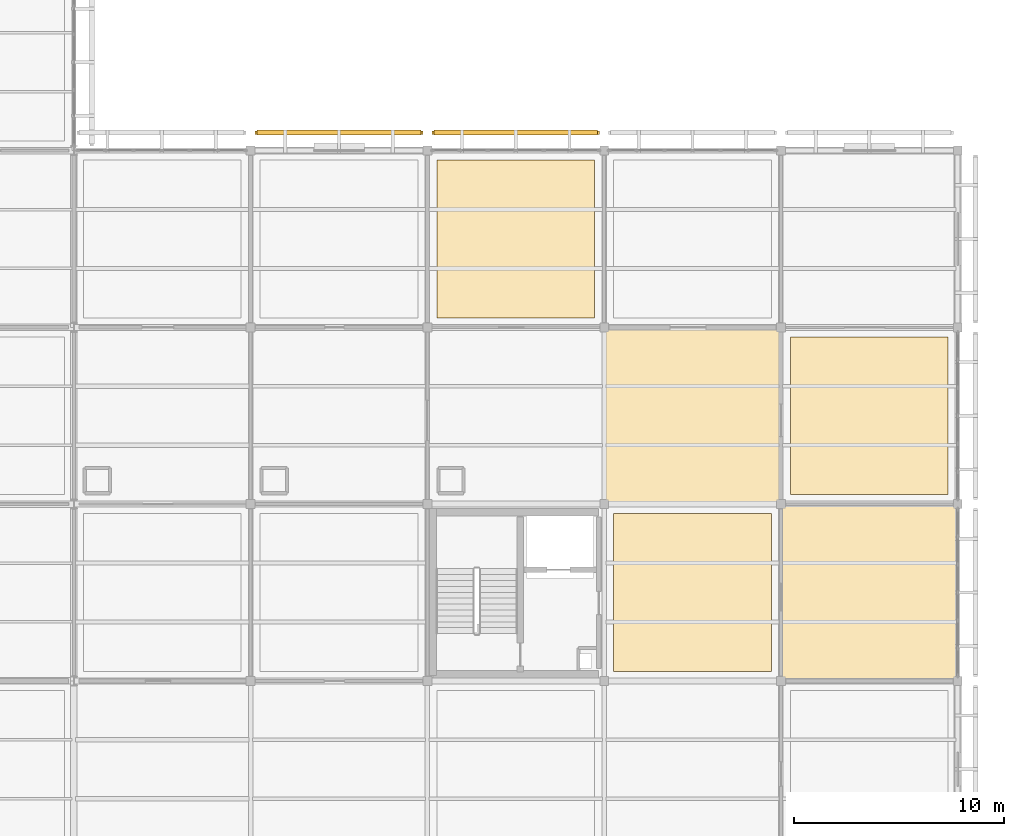
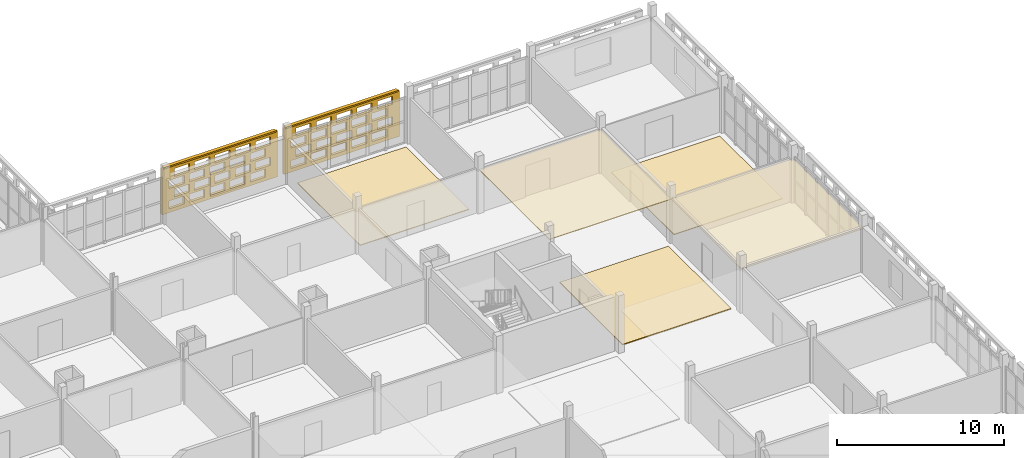
# One storey, part 164 of 166: 7 coverings, 2 shading devices, 40 openings.
"""IFC4 building model written with IfcOpenShell, lengths in metres."""

import ifcopenshell
import ifcopenshell.guid

model = None  # the IFC model being written
_history = None  # IfcOwnerHistory: only IFC2X3 demands one
_inside = {}  # id of a spatial element -> (the spatial element, [elements in it])
_under = {}  # id of a project, library or spatial element -> (it, [spatial elements below it])
_declared = {}  # id of a project -> (the project, [libraries it declares])
_typed = {}  # id of a type object -> (the type object, [elements of that type])
_made_of = {}  # id of a material, layer set ... -> (it, [elements and type objects made of it])


def new_model(schema):
    """Start an empty IFC model of exactly this schema.

    Asked for "IFC4X3", IfcOpenShell would pick the latest addendum, in which some entities
    have other attributes; the version numbers below select the first issue.
    IFC2X3 requires an IfcOwnerHistory on every rooted entity: one is made here for all.
    """
    global model, _history
    if schema == "IFC4X3":
        model = ifcopenshell.file(schema_version=(4, 3, 0, 0))
    else:
        model = ifcopenshell.file(schema=schema)
    _inside.clear()
    _under.clear()
    _declared.clear()
    _typed.clear()
    _made_of.clear()
    _history = None
    if model.schema == "IFC2X3":
        org = make("IfcOrganization", Name="unknown")
        user = make(
            "IfcPersonAndOrganization",
            ThePerson=make("IfcPerson", FamilyName="unknown"),
            TheOrganization=org,
        )
        app = make(
            "IfcApplication",
            ApplicationDeveloper=org,
            Version="unknown",
            ApplicationFullName="unknown",
            ApplicationIdentifier="unknown",
        )
        _history = make(
            "IfcOwnerHistory",
            OwningUser=user,
            OwningApplication=app,
            ChangeAction="ADDED",
            CreationDate=0,
        )
    return model


def make(cls, **values):
    """One entity of the class cls with the attributes given. An attribute that is None is left unset."""
    return model.create_entity(
        cls, **{name: value for name, value in values.items() if value is not None}
    )


def rooted(cls, **values):
    """An entity with a GlobalId (a new one), such as an element, a storey or a relation."""
    return make(cls, GlobalId=ifcopenshell.guid.new(), OwnerHistory=_history, **values)


def si_unit(unit_type, name, prefix=None):
    """IfcSIUnit, for example si_unit("LENGTHUNIT", "METRE", prefix="MILLI")."""
    return make("IfcSIUnit", UnitType=unit_type, Prefix=prefix, Name=name)


def assignment(units):
    """IfcUnitAssignment: the units of a project."""
    return None if units is None else make("IfcUnitAssignment", Units=units)


def point(xyz):
    """IfcCartesianPoint."""
    return None if xyz is None else make("IfcCartesianPoint", Coordinates=xyz)


def direction(xyz):
    """IfcDirection."""
    return None if xyz is None else make("IfcDirection", DirectionRatios=xyz)


def frame(location, z_axis=None, x_axis=None):
    """IfcAxis2Placement3D, a coordinate frame: its origin and axes. An axis left out is left unset."""
    return make(
        "IfcAxis2Placement3D",
        Location=point(location),
        Axis=direction(z_axis),
        RefDirection=direction(x_axis),
    )


def frame_2d(location, x_axis=None):
    """IfcAxis2Placement2D, a coordinate frame in the plane: its origin and x axis."""
    return make(
        "IfcAxis2Placement2D", Location=point(location), RefDirection=direction(x_axis)
    )


def origin():
    """The frame at (0, 0, 0) with its axes left unset."""
    return frame((0.0, 0.0, 0.0))


def origin_2d():
    """The frame at (0, 0) in the plane with its x axis left unset."""
    return frame_2d((0.0, 0.0))


def place(relative_to, where):
    """IfcLocalPlacement: puts the frame where relative to a parent placement (None: the world)."""
    return make(
        "IfcLocalPlacement", PlacementRelTo=relative_to, RelativePlacement=where
    )


def context(
    kind, dimensions, precision=None, world=None, true_north=None, identifier=None
):
    """IfcGeometricRepresentationContext, for example the 3D "Model" context."""
    return make(
        "IfcGeometricRepresentationContext",
        ContextIdentifier=identifier,
        ContextType=kind,
        CoordinateSpaceDimension=dimensions,
        Precision=precision,
        WorldCoordinateSystem=world,
        TrueNorth=true_north,
    )


def subcontext(parent, identifier, kind, view, scale=None):
    """IfcGeometricRepresentationSubContext, for example "Body" below "Model"."""
    return make(
        "IfcGeometricRepresentationSubContext",
        ContextIdentifier=identifier,
        ContextType=kind,
        ParentContext=parent,
        TargetScale=scale,
        TargetView=view,
    )


def project(units=None, contexts=None):
    """IfcProject with its units and contexts."""
    return rooted(
        "IfcProject",
        Name="project",
        RepresentationContexts=contexts,
        UnitsInContext=assignment(units),
    )


def spatial(cls, under=None, at=None, **own):
    """A site, building, storey or space (cls), placed at a placement, below another one or the project."""
    s = rooted(cls, ObjectPlacement=at, **own)
    if under is not None:
        _under.setdefault(under.id(), (under, []))[1].append(s)
    return s


def profile(cls, at=None, kind="AREA", **sizes):
    """A parametric profile (cls). Its sizes go by their IFC names, for example OverallWidth=200.0."""
    return make(cls, ProfileType=kind, Position=at, **sizes)


def rectangle(**sizes):
    """IfcRectangleProfileDef."""
    return profile("IfcRectangleProfileDef", **sizes)


def extrude(swept, where, along, depth):
    """IfcExtrudedAreaSolid: the profile swept, set in the frame where, extruded along a direction by depth."""
    return make(
        "IfcExtrudedAreaSolid",
        SweptArea=swept,
        Position=where,
        ExtrudedDirection=direction(along),
        Depth=depth,
    )


def shape(context_of_items, identifier, shape_type, items):
    """IfcShapeRepresentation: the items that make up one representation, for example the "Body"."""
    return make(
        "IfcShapeRepresentation",
        ContextOfItems=context_of_items,
        RepresentationIdentifier=identifier,
        RepresentationType=shape_type,
        Items=items,
    )


def material(Name=None, Category=None):
    """IfcMaterial."""
    return make("IfcMaterial", Name=Name, Category=Category)


def layer(
    of_material, thickness, ventilated=None, Name=None, Category=None, Priority=None
):
    """IfcMaterialLayer: one layer of a wall or slab, of a material (None: an air gap)."""
    return make(
        "IfcMaterialLayer",
        Material=of_material,
        LayerThickness=thickness,
        IsVentilated=ventilated,
        Name=Name,
        Category=Category,
        Priority=Priority,
    )


def layer_set(layers, Name=None):
    """IfcMaterialLayerSet."""
    return make("IfcMaterialLayerSet", MaterialLayers=layers, LayerSetName=Name)


def made_of(thing, what):
    """Note that an element or type object is made of a material, layer set ...; save() writes the relation."""
    if what is not None:
        _made_of.setdefault(what.id(), (what, []))[1].append(thing)
    return thing


def type_object(cls, material=None, **own):
    """A type object (cls), such as IfcWallType, which elements share."""
    return made_of(rooted(cls, **own), material)


def element(
    cls,
    number,
    at=None,
    inside=None,
    cuts=None,
    type_object=None,
    material=None,
    context=None,
    identifier="Body",
    shape_type=None,
    held_by="IfcProductDefinitionShape",
    body=None,
    shapes=None,
    **own,
):
    """One element of the class cls, such as IfcWall. Its Tag is "e" and its number.

    at: its placement. inside: the storey or other place that contains it. cuts: it is an
    opening in that element (IfcRelVoidsElement). A single representation is given by context,
    identifier, shape_type and body (its items); several are given by shapes. held_by: the class
    of the entity that holds the representations. save() writes the other relations.
    """
    e = rooted(cls, Tag="e%d" % number, ObjectPlacement=at, **own)
    if body is not None:
        shapes = [shape(context, identifier, shape_type, body)]
    if shapes is not None:
        e.Representation = make(held_by, Representations=shapes)
    if inside is not None:
        _inside.setdefault(inside.id(), (inside, []))[1].append(e)
    if cuts is not None:
        rooted(
            "IfcRelVoidsElement", RelatingBuildingElement=cuts, RelatedOpeningElement=e
        )
    if type_object is not None:
        _typed.setdefault(type_object.id(), (type_object, []))[1].append(e)
    return made_of(e, material)


def aggregate(whole, parts):
    """IfcRelAggregates: a whole, such as a stair, and the parts it consists of."""
    return rooted("IfcRelAggregates", RelatingObject=whole, RelatedObjects=parts)


def save(model, path):
    """Write the relations noted so far, then the file.

    IfcRelAggregates (storeys below a building ...), IfcRelContainedInSpatialStructure (elements
    in a storey), IfcRelDefinesByType, IfcRelAssociatesMaterial and IfcRelDeclares: one each for
    every whole, place, type object, material and project.
    """
    for whole, parts in _under.values():
        aggregate(whole, parts)
    for where, things in _inside.values():
        rooted(
            "IfcRelContainedInSpatialStructure",
            RelatedElements=things,
            RelatingStructure=where,
        )
    for kind, things in _typed.values():
        rooted("IfcRelDefinesByType", RelatedObjects=things, RelatingType=kind)
    for what, things in _made_of.values():
        rooted("IfcRelAssociatesMaterial", RelatedObjects=things, RelatingMaterial=what)
    for by, libraries in _declared.values():
        rooted("IfcRelDeclares", RelatingContext=by, RelatedDefinitions=libraries)
    model.write(path)


model = new_model("IFC4")

# Units and contexts
model_context = context("Model", 3, precision=1e-05, world=origin(), true_north=direction((0.0, 1.0)))
body_context = subcontext(model_context, "Body", "Model", "MODEL_VIEW")
ifc_project = project(units=[si_unit("LENGTHUNIT", "METRE"), si_unit("AREAUNIT", "SQUARE_METRE"), si_unit("VOLUMEUNIT", "CUBIC_METRE"), si_unit("PLANEANGLEUNIT", "RADIAN"), si_unit("MASSUNIT", "GRAM", prefix="KILO")], contexts=[model_context])

# Site, building, storey
site_placement = place(None, origin())
site = spatial("IfcSite", under=ifc_project, at=site_placement, CompositionType="ELEMENT")
building_placement = place(site_placement, origin())
building = spatial("IfcBuilding", under=site, at=building_placement, Name="Varnapada Polytechnic", CompositionType="ELEMENT")
storey_placement = place(building_placement, frame((0.0, 0.0, 9.60009765625)))
storey = spatial("IfcBuildingStorey", under=building, at=storey_placement, Name="L02", CompositionType="ELEMENT", Elevation=9.60009765625)

# Coverings
ifc_material_1 = material(Name="Anti-Static Raised Laboratory Flooring")
ifc_layer_1 = layer(ifc_material_1, 0.06005859375)
ifc_layer_set_1 = layer_set([ifc_layer_1], Name="Anti-Static Raised Laboratory Flooring")
covering_type_1 = type_object("IfcCoveringType", Name="Floor Finish FLR-02", PredefinedType="FLOORING", material=ifc_layer_set_1)
covering_1_placement = place(storey_placement, frame((163.800048828125, 96.60009765625, -0.000244140625), z_axis=(0.0, 0.0, 1.0), x_axis=(1.0, 0.0, 0.0)))
element("IfcCovering", 1, at=covering_1_placement, inside=storey, type_object=covering_type_1, Name="L02 floor finish panel (20,12)", PredefinedType="FLOORING", context=body_context, shape_type="SweptSolid", body=[
    extrude(rectangle(XDim=7.5, YDim=7.5, at=origin_2d()), origin(), (0.0, 0.0, 1.0), 0.06005859375),
])
ifc_material_2 = material(Name="End-Grain Timber Studio Block Flooring", Category="wood")
ifc_layer_2 = layer(ifc_material_2, 0.054931640625)
ifc_layer_set_2 = layer_set([ifc_layer_2], Name="End-Grain Timber Studio Block Flooring")
covering_type_2 = type_object("IfcCoveringType", Name="Floor Finish FLR-04", PredefinedType="FLOORING", material=ifc_layer_set_2)
for number, where, z_axis, x_axis, name in (
    (2, (155.39990234375, 113.39990234375, 0.0), (0.0, 0.0, 1.0), (1.0, 0.0, 0.0), "L02 floor finish panel (19,14)"),
    (3, (172.199951171875, 105.0, 0.0), (0.0, 0.0, 1.0), (1.0, 0.0, 0.0), "L02 floor finish panel (21,13)"),
):
    element("IfcCovering", number, at=place(storey_placement, frame(where, z_axis=z_axis, x_axis=x_axis)), inside=storey, type_object=covering_type_2, Name=name, PredefinedType="FLOORING", context=body_context, shape_type="SweptSolid", body=[
        extrude(rectangle(XDim=7.5, YDim=7.5, at=origin_2d()), origin(), (0.0, 0.0, 1.0), 0.054931640625),
    ])
ifc_material_3 = material(Name="Mineral Fibre Acoustic Ceiling Tile")
ifc_layer_3 = layer(ifc_material_3, 0.0400390625)
ifc_layer_set_3 = layer_set([ifc_layer_3], Name="Mineral Fibre Acoustic Ceiling Tile")
covering_type_3 = type_object("IfcCoveringType", Name="Suspended Ceiling CLG-01", PredefinedType="CEILING", material=ifc_layer_set_3)
covering_2_placement = place(storey_placement, frame((172.199951171875, 96.60009765625, 3.02978515625), z_axis=(0.0, 0.0, 1.0), x_axis=(1.0, 0.0, 0.0)))
element("IfcCovering", 4, at=covering_2_placement, inside=storey, type_object=covering_type_3, Name="L02 suspended acoustic ceiling (21,12)", PredefinedType="CEILING", context=body_context, shape_type="SweptSolid", body=[
    extrude(rectangle(XDim=8.419921875, YDim=8.419921875, at=origin_2d()), origin(), (0.0, 0.0, 1.0), 0.0400390625),
])
ifc_material_4 = material(Name="Perforated Timber Slatted Baffle Ceiling", Category="wood")
ifc_layer_4 = layer(ifc_material_4, 0.050048828125)
ifc_layer_set_4 = layer_set([ifc_layer_4], Name="Perforated Timber Slatted Baffle Ceiling")
covering_type_4 = type_object("IfcCoveringType", Name="Suspended Ceiling CLG-02", PredefinedType="CEILING", material=ifc_layer_set_4)
covering_3_placement = place(storey_placement, frame((163.800048828125, 105.0, 3.02490234375), z_axis=(0.0, 0.0, 1.0), x_axis=(1.0, 0.0, 0.0)))
element("IfcCovering", 5, at=covering_3_placement, inside=storey, type_object=covering_type_4, Name="L02 suspended acoustic ceiling (20,13)", PredefinedType="CEILING", context=body_context, shape_type="SweptSolid", body=[
    extrude(rectangle(XDim=8.419921875, YDim=8.419921875, at=origin_2d()), origin(), (0.0, 0.0, 1.0), 0.050048828125),
])

# Covering, openings
ifc_material_5 = material(Name="Earth-toned architectural terracotta screen block", Category="masonry")
ifc_layer_5 = layer(ifc_material_5, 0.1201171875)
ifc_layer_set_5 = layer_set([ifc_layer_5], Name="Earth-toned architectural terracotta screen block")
covering_type_5 = type_object("IfcCoveringType", Name="Terracotta Screen Cladding CLD-01", PredefinedType="CLADDING", material=ifc_layer_set_5)
covering_4_placement = place(storey_placement, frame((143.010009765625, 118.449951171875, 0.0), z_axis=(0.0, 0.0, 1.0), x_axis=(1.0, 0.0, 0.0)))
covering_4 = element("IfcCovering", 6, at=covering_4_placement, inside=storey, type_object=covering_type_5, Name="L02 perforated terracotta block screen (94)", PredefinedType="CLADDING", context=body_context, shape_type="SweptSolid", body=[
    extrude(rectangle(XDim=7.97998046875, YDim=0.179931640625, at=frame_2d((3.989990234375, 0.0))), origin(), (0.0, 0.0, 1.0), 3.31982421875),
])
opening_1_placement = place(covering_4_placement, frame((0.489990234375, 0.0, 0.265625)))
element("IfcOpeningElement", 7, at=opening_1_placement, cuts=covering_4, Name="Screen perforation TBS-L02-093.1", PredefinedType="OPENING", context=body_context, shape_type="SweptSolid", body=[
    extrude(rectangle(XDim=1.0400390625, YDim=0.5810546875, at=frame_2d((0.52001953125, 0.29052734375))), frame((0.0, 0.099853515625, 0.0), z_axis=(0.0, -1.0, 0.0), x_axis=(1.0, 0.0, 0.0)), (0.0, 0.0, 1.0), 0.199951171875),
])
opening_2_placement = place(covering_4_placement, frame((1.889892578125, 0.0, 0.265625)))
element("IfcOpeningElement", 8, at=opening_2_placement, cuts=covering_4, Name="Screen perforation TBS-L02-093.2", PredefinedType="OPENING", context=body_context, shape_type="SweptSolid", body=[
    extrude(rectangle(XDim=1.0400390625, YDim=0.5810546875, at=frame_2d((0.52001953125, 0.29052734375))), frame((0.0, 0.099853515625, 0.0), z_axis=(0.0, -1.0, 0.0), x_axis=(1.0, 0.0, 0.0)), (0.0, 0.0, 1.0), 0.199951171875),
])
opening_3_placement = place(covering_4_placement, frame((3.2900390625, 0.0, 0.265625)))
element("IfcOpeningElement", 9, at=opening_3_placement, cuts=covering_4, Name="Screen perforation TBS-L02-093.3", PredefinedType="OPENING", context=body_context, shape_type="SweptSolid", body=[
    extrude(rectangle(XDim=1.0400390625, YDim=0.5810546875, at=frame_2d((0.52001953125, 0.29052734375))), frame((0.0, 0.099853515625, 0.0), z_axis=(0.0, -1.0, 0.0), x_axis=(1.0, 0.0, 0.0)), (0.0, 0.0, 1.0), 0.199951171875),
])
opening_4_placement = place(covering_4_placement, frame((4.68994140625, 0.0, 0.265625)))
element("IfcOpeningElement", 10, at=opening_4_placement, cuts=covering_4, Name="Screen perforation TBS-L02-093.4", PredefinedType="OPENING", context=body_context, shape_type="SweptSolid", body=[
    extrude(rectangle(XDim=1.0400390625, YDim=0.5810546875, at=frame_2d((0.52001953125, 0.29052734375))), frame((0.0, 0.099853515625, 0.0), z_axis=(0.0, -1.0, 0.0), x_axis=(1.0, 0.0, 0.0)), (0.0, 0.0, 1.0), 0.199951171875),
])
opening_5_placement = place(covering_4_placement, frame((6.090087890625, 0.0, 0.265625)))
element("IfcOpeningElement", 11, at=opening_5_placement, cuts=covering_4, Name="Screen perforation TBS-L02-093.5", PredefinedType="OPENING", context=body_context, shape_type="SweptSolid", body=[
    extrude(rectangle(XDim=1.0400390625, YDim=0.5810546875, at=frame_2d((0.52001953125, 0.29052734375))), frame((0.0, 0.099853515625, 0.0), z_axis=(0.0, -1.0, 0.0), x_axis=(1.0, 0.0, 0.0)), (0.0, 0.0, 1.0), 0.199951171875),
])
opening_6_placement = place(covering_4_placement, frame((0.85009765625, 0.0, 1.0126953125)))
element("IfcOpeningElement", 12, at=opening_6_placement, cuts=covering_4, Name="Screen perforation TBS-L02-093.6", PredefinedType="OPENING", context=body_context, shape_type="SweptSolid", body=[
    extrude(rectangle(XDim=1.0400390625, YDim=0.5810546875, at=frame_2d((0.52001953125, 0.29052734375))), frame((0.0, 0.099853515625, 0.0), z_axis=(0.0, -1.0, 0.0), x_axis=(1.0, 0.0, 0.0)), (0.0, 0.0, 1.0), 0.199951171875),
])
opening_7_placement = place(covering_4_placement, frame((2.25, 0.0, 1.0126953125)))
element("IfcOpeningElement", 13, at=opening_7_placement, cuts=covering_4, Name="Screen perforation TBS-L02-093.7", PredefinedType="OPENING", context=body_context, shape_type="SweptSolid", body=[
    extrude(rectangle(XDim=1.0400390625, YDim=0.5810546875, at=frame_2d((0.52001953125, 0.29052734375))), frame((0.0, 0.099853515625, 0.0), z_axis=(0.0, -1.0, 0.0), x_axis=(1.0, 0.0, 0.0)), (0.0, 0.0, 1.0), 0.199951171875),
])
opening_8_placement = place(covering_4_placement, frame((3.64990234375, 0.0, 1.0126953125)))
element("IfcOpeningElement", 14, at=opening_8_placement, cuts=covering_4, Name="Screen perforation TBS-L02-093.8", PredefinedType="OPENING", context=body_context, shape_type="SweptSolid", body=[
    extrude(rectangle(XDim=1.0400390625, YDim=0.5810546875, at=frame_2d((0.52001953125, 0.29052734375))), frame((0.0, 0.099853515625, 0.0), z_axis=(0.0, -1.0, 0.0), x_axis=(1.0, 0.0, 0.0)), (0.0, 0.0, 1.0), 0.199951171875),
])
opening_9_placement = place(covering_4_placement, frame((5.050048828125, 0.0, 1.0126953125)))
element("IfcOpeningElement", 15, at=opening_9_placement, cuts=covering_4, Name="Screen perforation TBS-L02-093.9", PredefinedType="OPENING", context=body_context, shape_type="SweptSolid", body=[
    extrude(rectangle(XDim=1.0400390625, YDim=0.5810546875, at=frame_2d((0.52001953125, 0.29052734375))), frame((0.0, 0.099853515625, 0.0), z_axis=(0.0, -1.0, 0.0), x_axis=(1.0, 0.0, 0.0)), (0.0, 0.0, 1.0), 0.199951171875),
])
opening_10_placement = place(covering_4_placement, frame((6.449951171875, 0.0, 1.0126953125)))
element("IfcOpeningElement", 16, at=opening_10_placement, cuts=covering_4, Name="Screen perforation TBS-L02-093.10", PredefinedType="OPENING", context=body_context, shape_type="SweptSolid", body=[
    extrude(rectangle(XDim=1.0400390625, YDim=0.5810546875, at=frame_2d((0.52001953125, 0.29052734375))), frame((0.0, 0.099853515625, 0.0), z_axis=(0.0, -1.0, 0.0), x_axis=(1.0, 0.0, 0.0)), (0.0, 0.0, 1.0), 0.199951171875),
])
opening_11_placement = place(covering_4_placement, frame((0.489990234375, 0.0, 1.759521484375)))
element("IfcOpeningElement", 17, at=opening_11_placement, cuts=covering_4, Name="Screen perforation TBS-L02-093.11", PredefinedType="OPENING", context=body_context, shape_type="SweptSolid", body=[
    extrude(rectangle(XDim=1.0400390625, YDim=0.5810546875, at=frame_2d((0.52001953125, 0.29052734375))), frame((0.0, 0.099853515625, 0.0), z_axis=(0.0, -1.0, 0.0), x_axis=(1.0, 0.0, 0.0)), (0.0, 0.0, 1.0), 0.199951171875),
])
opening_12_placement = place(covering_4_placement, frame((1.889892578125, 0.0, 1.759521484375)))
element("IfcOpeningElement", 18, at=opening_12_placement, cuts=covering_4, Name="Screen perforation TBS-L02-093.12", PredefinedType="OPENING", context=body_context, shape_type="SweptSolid", body=[
    extrude(rectangle(XDim=1.0400390625, YDim=0.5810546875, at=frame_2d((0.52001953125, 0.29052734375))), frame((0.0, 0.099853515625, 0.0), z_axis=(0.0, -1.0, 0.0), x_axis=(1.0, 0.0, 0.0)), (0.0, 0.0, 1.0), 0.199951171875),
])
opening_13_placement = place(covering_4_placement, frame((3.2900390625, 0.0, 1.759521484375)))
element("IfcOpeningElement", 19, at=opening_13_placement, cuts=covering_4, Name="Screen perforation TBS-L02-093.13", PredefinedType="OPENING", context=body_context, shape_type="SweptSolid", body=[
    extrude(rectangle(XDim=1.0400390625, YDim=0.5810546875, at=frame_2d((0.52001953125, 0.29052734375))), frame((0.0, 0.099853515625, 0.0), z_axis=(0.0, -1.0, 0.0), x_axis=(1.0, 0.0, 0.0)), (0.0, 0.0, 1.0), 0.199951171875),
])
opening_14_placement = place(covering_4_placement, frame((4.68994140625, 0.0, 1.759521484375)))
element("IfcOpeningElement", 20, at=opening_14_placement, cuts=covering_4, Name="Screen perforation TBS-L02-093.14", PredefinedType="OPENING", context=body_context, shape_type="SweptSolid", body=[
    extrude(rectangle(XDim=1.0400390625, YDim=0.5810546875, at=frame_2d((0.52001953125, 0.29052734375))), frame((0.0, 0.099853515625, 0.0), z_axis=(0.0, -1.0, 0.0), x_axis=(1.0, 0.0, 0.0)), (0.0, 0.0, 1.0), 0.199951171875),
])
opening_15_placement = place(covering_4_placement, frame((6.090087890625, 0.0, 1.759521484375)))
element("IfcOpeningElement", 21, at=opening_15_placement, cuts=covering_4, Name="Screen perforation TBS-L02-093.15", PredefinedType="OPENING", context=body_context, shape_type="SweptSolid", body=[
    extrude(rectangle(XDim=1.0400390625, YDim=0.5810546875, at=frame_2d((0.52001953125, 0.29052734375))), frame((0.0, 0.099853515625, 0.0), z_axis=(0.0, -1.0, 0.0), x_axis=(1.0, 0.0, 0.0)), (0.0, 0.0, 1.0), 0.199951171875),
])
opening_16_placement = place(covering_4_placement, frame((0.85009765625, 0.0, 2.506591796875)))
element("IfcOpeningElement", 22, at=opening_16_placement, cuts=covering_4, Name="Screen perforation TBS-L02-093.16", PredefinedType="OPENING", context=body_context, shape_type="SweptSolid", body=[
    extrude(rectangle(XDim=1.0400390625, YDim=0.5810546875, at=frame_2d((0.52001953125, 0.29052734375))), frame((0.0, 0.099853515625, 0.0), z_axis=(0.0, -1.0, 0.0), x_axis=(1.0, 0.0, 0.0)), (0.0, 0.0, 1.0), 0.199951171875),
])
opening_17_placement = place(covering_4_placement, frame((2.25, 0.0, 2.506591796875)))
element("IfcOpeningElement", 23, at=opening_17_placement, cuts=covering_4, Name="Screen perforation TBS-L02-093.17", PredefinedType="OPENING", context=body_context, shape_type="SweptSolid", body=[
    extrude(rectangle(XDim=1.0400390625, YDim=0.5810546875, at=frame_2d((0.52001953125, 0.29052734375))), frame((0.0, 0.099853515625, 0.0), z_axis=(0.0, -1.0, 0.0), x_axis=(1.0, 0.0, 0.0)), (0.0, 0.0, 1.0), 0.199951171875),
])
opening_18_placement = place(covering_4_placement, frame((3.64990234375, 0.0, 2.506591796875)))
element("IfcOpeningElement", 24, at=opening_18_placement, cuts=covering_4, Name="Screen perforation TBS-L02-093.18", PredefinedType="OPENING", context=body_context, shape_type="SweptSolid", body=[
    extrude(rectangle(XDim=1.0400390625, YDim=0.5810546875, at=frame_2d((0.52001953125, 0.29052734375))), frame((0.0, 0.099853515625, 0.0), z_axis=(0.0, -1.0, 0.0), x_axis=(1.0, 0.0, 0.0)), (0.0, 0.0, 1.0), 0.199951171875),
])
opening_19_placement = place(covering_4_placement, frame((5.050048828125, 0.0, 2.506591796875)))
element("IfcOpeningElement", 25, at=opening_19_placement, cuts=covering_4, Name="Screen perforation TBS-L02-093.19", PredefinedType="OPENING", context=body_context, shape_type="SweptSolid", body=[
    extrude(rectangle(XDim=1.0400390625, YDim=0.5810546875, at=frame_2d((0.52001953125, 0.29052734375))), frame((0.0, 0.099853515625, 0.0), z_axis=(0.0, -1.0, 0.0), x_axis=(1.0, 0.0, 0.0)), (0.0, 0.0, 1.0), 0.199951171875),
])
opening_20_placement = place(covering_4_placement, frame((6.449951171875, 0.0, 2.506591796875)))
element("IfcOpeningElement", 26, at=opening_20_placement, cuts=covering_4, Name="Screen perforation TBS-L02-093.20", PredefinedType="OPENING", context=body_context, shape_type="SweptSolid", body=[
    extrude(rectangle(XDim=1.0400390625, YDim=0.5810546875, at=frame_2d((0.52001953125, 0.29052734375))), frame((0.0, 0.099853515625, 0.0), z_axis=(0.0, -1.0, 0.0), x_axis=(1.0, 0.0, 0.0)), (0.0, 0.0, 1.0), 0.199951171875),
])

covering_5_placement = place(storey_placement, frame((151.409912109375, 118.449951171875, 0.0), z_axis=(0.0, 0.0, 1.0), x_axis=(1.0, 0.0, 0.0)))
covering_5 = element("IfcCovering", 27, at=covering_5_placement, inside=storey, type_object=covering_type_5, Name="L02 perforated terracotta block screen (98)", PredefinedType="CLADDING", context=body_context, shape_type="SweptSolid", body=[
    extrude(rectangle(XDim=7.97998046875, YDim=0.179931640625, at=frame_2d((3.989990234375, 0.0))), origin(), (0.0, 0.0, 1.0), 3.31982421875),
])
opening_21_placement = place(covering_5_placement, frame((0.489990234375, 0.0, 0.265625)))
element("IfcOpeningElement", 28, at=opening_21_placement, cuts=covering_5, Name="Screen perforation TBS-L02-097.1", PredefinedType="OPENING", context=body_context, shape_type="SweptSolid", body=[
    extrude(rectangle(XDim=1.0400390625, YDim=0.5810546875, at=frame_2d((0.52001953125, 0.29052734375))), frame((0.0, 0.099853515625, 0.0), z_axis=(0.0, -1.0, 0.0), x_axis=(1.0, 0.0, 0.0)), (0.0, 0.0, 1.0), 0.199951171875),
])
opening_22_placement = place(covering_5_placement, frame((1.889892578125, 0.0, 0.265625)))
element("IfcOpeningElement", 29, at=opening_22_placement, cuts=covering_5, Name="Screen perforation TBS-L02-097.2", PredefinedType="OPENING", context=body_context, shape_type="SweptSolid", body=[
    extrude(rectangle(XDim=1.0400390625, YDim=0.5810546875, at=frame_2d((0.52001953125, 0.29052734375))), frame((0.0, 0.099853515625, 0.0), z_axis=(0.0, -1.0, 0.0), x_axis=(1.0, 0.0, 0.0)), (0.0, 0.0, 1.0), 0.199951171875),
])
opening_23_placement = place(covering_5_placement, frame((3.2900390625, 0.0, 0.265625)))
element("IfcOpeningElement", 30, at=opening_23_placement, cuts=covering_5, Name="Screen perforation TBS-L02-097.3", PredefinedType="OPENING", context=body_context, shape_type="SweptSolid", body=[
    extrude(rectangle(XDim=1.0400390625, YDim=0.5810546875, at=frame_2d((0.52001953125, 0.29052734375))), frame((0.0, 0.099853515625, 0.0), z_axis=(0.0, -1.0, 0.0), x_axis=(1.0, 0.0, 0.0)), (0.0, 0.0, 1.0), 0.199951171875),
])
opening_24_placement = place(covering_5_placement, frame((4.68994140625, 0.0, 0.265625)))
element("IfcOpeningElement", 31, at=opening_24_placement, cuts=covering_5, Name="Screen perforation TBS-L02-097.4", PredefinedType="OPENING", context=body_context, shape_type="SweptSolid", body=[
    extrude(rectangle(XDim=1.0400390625, YDim=0.5810546875, at=frame_2d((0.52001953125, 0.29052734375))), frame((0.0, 0.099853515625, 0.0), z_axis=(0.0, -1.0, 0.0), x_axis=(1.0, 0.0, 0.0)), (0.0, 0.0, 1.0), 0.199951171875),
])
opening_25_placement = place(covering_5_placement, frame((6.090087890625, 0.0, 0.265625)))
element("IfcOpeningElement", 32, at=opening_25_placement, cuts=covering_5, Name="Screen perforation TBS-L02-097.5", PredefinedType="OPENING", context=body_context, shape_type="SweptSolid", body=[
    extrude(rectangle(XDim=1.0400390625, YDim=0.5810546875, at=frame_2d((0.52001953125, 0.29052734375))), frame((0.0, 0.099853515625, 0.0), z_axis=(0.0, -1.0, 0.0), x_axis=(1.0, 0.0, 0.0)), (0.0, 0.0, 1.0), 0.199951171875),
])
opening_26_placement = place(covering_5_placement, frame((0.85009765625, 0.0, 1.0126953125)))
element("IfcOpeningElement", 33, at=opening_26_placement, cuts=covering_5, Name="Screen perforation TBS-L02-097.6", PredefinedType="OPENING", context=body_context, shape_type="SweptSolid", body=[
    extrude(rectangle(XDim=1.0400390625, YDim=0.5810546875, at=frame_2d((0.52001953125, 0.29052734375))), frame((0.0, 0.099853515625, 0.0), z_axis=(0.0, -1.0, 0.0), x_axis=(1.0, 0.0, 0.0)), (0.0, 0.0, 1.0), 0.199951171875),
])
opening_27_placement = place(covering_5_placement, frame((2.25, 0.0, 1.0126953125)))
element("IfcOpeningElement", 34, at=opening_27_placement, cuts=covering_5, Name="Screen perforation TBS-L02-097.7", PredefinedType="OPENING", context=body_context, shape_type="SweptSolid", body=[
    extrude(rectangle(XDim=1.0400390625, YDim=0.5810546875, at=frame_2d((0.52001953125, 0.29052734375))), frame((0.0, 0.099853515625, 0.0), z_axis=(0.0, -1.0, 0.0), x_axis=(1.0, 0.0, 0.0)), (0.0, 0.0, 1.0), 0.199951171875),
])
opening_28_placement = place(covering_5_placement, frame((3.64990234375, 0.0, 1.0126953125)))
element("IfcOpeningElement", 35, at=opening_28_placement, cuts=covering_5, Name="Screen perforation TBS-L02-097.8", PredefinedType="OPENING", context=body_context, shape_type="SweptSolid", body=[
    extrude(rectangle(XDim=1.0400390625, YDim=0.5810546875, at=frame_2d((0.52001953125, 0.29052734375))), frame((0.0, 0.099853515625, 0.0), z_axis=(0.0, -1.0, 0.0), x_axis=(1.0, 0.0, 0.0)), (0.0, 0.0, 1.0), 0.199951171875),
])
opening_29_placement = place(covering_5_placement, frame((5.050048828125, 0.0, 1.0126953125)))
element("IfcOpeningElement", 36, at=opening_29_placement, cuts=covering_5, Name="Screen perforation TBS-L02-097.9", PredefinedType="OPENING", context=body_context, shape_type="SweptSolid", body=[
    extrude(rectangle(XDim=1.0400390625, YDim=0.5810546875, at=frame_2d((0.52001953125, 0.29052734375))), frame((0.0, 0.099853515625, 0.0), z_axis=(0.0, -1.0, 0.0), x_axis=(1.0, 0.0, 0.0)), (0.0, 0.0, 1.0), 0.199951171875),
])
opening_30_placement = place(covering_5_placement, frame((6.449951171875, 0.0, 1.0126953125)))
element("IfcOpeningElement", 37, at=opening_30_placement, cuts=covering_5, Name="Screen perforation TBS-L02-097.10", PredefinedType="OPENING", context=body_context, shape_type="SweptSolid", body=[
    extrude(rectangle(XDim=1.0400390625, YDim=0.5810546875, at=frame_2d((0.52001953125, 0.29052734375))), frame((0.0, 0.099853515625, 0.0), z_axis=(0.0, -1.0, 0.0), x_axis=(1.0, 0.0, 0.0)), (0.0, 0.0, 1.0), 0.199951171875),
])
opening_31_placement = place(covering_5_placement, frame((0.489990234375, 0.0, 1.759521484375)))
element("IfcOpeningElement", 38, at=opening_31_placement, cuts=covering_5, Name="Screen perforation TBS-L02-097.11", PredefinedType="OPENING", context=body_context, shape_type="SweptSolid", body=[
    extrude(rectangle(XDim=1.0400390625, YDim=0.5810546875, at=frame_2d((0.52001953125, 0.29052734375))), frame((0.0, 0.099853515625, 0.0), z_axis=(0.0, -1.0, 0.0), x_axis=(1.0, 0.0, 0.0)), (0.0, 0.0, 1.0), 0.199951171875),
])
opening_32_placement = place(covering_5_placement, frame((1.889892578125, 0.0, 1.759521484375)))
element("IfcOpeningElement", 39, at=opening_32_placement, cuts=covering_5, Name="Screen perforation TBS-L02-097.12", PredefinedType="OPENING", context=body_context, shape_type="SweptSolid", body=[
    extrude(rectangle(XDim=1.0400390625, YDim=0.5810546875, at=frame_2d((0.52001953125, 0.29052734375))), frame((0.0, 0.099853515625, 0.0), z_axis=(0.0, -1.0, 0.0), x_axis=(1.0, 0.0, 0.0)), (0.0, 0.0, 1.0), 0.199951171875),
])
opening_33_placement = place(covering_5_placement, frame((3.2900390625, 0.0, 1.759521484375)))
element("IfcOpeningElement", 40, at=opening_33_placement, cuts=covering_5, Name="Screen perforation TBS-L02-097.13", PredefinedType="OPENING", context=body_context, shape_type="SweptSolid", body=[
    extrude(rectangle(XDim=1.0400390625, YDim=0.5810546875, at=frame_2d((0.52001953125, 0.29052734375))), frame((0.0, 0.099853515625, 0.0), z_axis=(0.0, -1.0, 0.0), x_axis=(1.0, 0.0, 0.0)), (0.0, 0.0, 1.0), 0.199951171875),
])
opening_34_placement = place(covering_5_placement, frame((4.68994140625, 0.0, 1.759521484375)))
element("IfcOpeningElement", 41, at=opening_34_placement, cuts=covering_5, Name="Screen perforation TBS-L02-097.14", PredefinedType="OPENING", context=body_context, shape_type="SweptSolid", body=[
    extrude(rectangle(XDim=1.0400390625, YDim=0.5810546875, at=frame_2d((0.52001953125, 0.29052734375))), frame((0.0, 0.099853515625, 0.0), z_axis=(0.0, -1.0, 0.0), x_axis=(1.0, 0.0, 0.0)), (0.0, 0.0, 1.0), 0.199951171875),
])
opening_35_placement = place(covering_5_placement, frame((6.090087890625, 0.0, 1.759521484375)))
element("IfcOpeningElement", 42, at=opening_35_placement, cuts=covering_5, Name="Screen perforation TBS-L02-097.15", PredefinedType="OPENING", context=body_context, shape_type="SweptSolid", body=[
    extrude(rectangle(XDim=1.0400390625, YDim=0.5810546875, at=frame_2d((0.52001953125, 0.29052734375))), frame((0.0, 0.099853515625, 0.0), z_axis=(0.0, -1.0, 0.0), x_axis=(1.0, 0.0, 0.0)), (0.0, 0.0, 1.0), 0.199951171875),
])
opening_36_placement = place(covering_5_placement, frame((0.85009765625, 0.0, 2.506591796875)))
element("IfcOpeningElement", 43, at=opening_36_placement, cuts=covering_5, Name="Screen perforation TBS-L02-097.16", PredefinedType="OPENING", context=body_context, shape_type="SweptSolid", body=[
    extrude(rectangle(XDim=1.0400390625, YDim=0.5810546875, at=frame_2d((0.52001953125, 0.29052734375))), frame((0.0, 0.099853515625, 0.0), z_axis=(0.0, -1.0, 0.0), x_axis=(1.0, 0.0, 0.0)), (0.0, 0.0, 1.0), 0.199951171875),
])
opening_37_placement = place(covering_5_placement, frame((2.25, 0.0, 2.506591796875)))
element("IfcOpeningElement", 44, at=opening_37_placement, cuts=covering_5, Name="Screen perforation TBS-L02-097.17", PredefinedType="OPENING", context=body_context, shape_type="SweptSolid", body=[
    extrude(rectangle(XDim=1.0400390625, YDim=0.5810546875, at=frame_2d((0.52001953125, 0.29052734375))), frame((0.0, 0.099853515625, 0.0), z_axis=(0.0, -1.0, 0.0), x_axis=(1.0, 0.0, 0.0)), (0.0, 0.0, 1.0), 0.199951171875),
])
opening_38_placement = place(covering_5_placement, frame((3.64990234375, 0.0, 2.506591796875)))
element("IfcOpeningElement", 45, at=opening_38_placement, cuts=covering_5, Name="Screen perforation TBS-L02-097.18", PredefinedType="OPENING", context=body_context, shape_type="SweptSolid", body=[
    extrude(rectangle(XDim=1.0400390625, YDim=0.5810546875, at=frame_2d((0.52001953125, 0.29052734375))), frame((0.0, 0.099853515625, 0.0), z_axis=(0.0, -1.0, 0.0), x_axis=(1.0, 0.0, 0.0)), (0.0, 0.0, 1.0), 0.199951171875),
])
opening_39_placement = place(covering_5_placement, frame((5.050048828125, 0.0, 2.506591796875)))
element("IfcOpeningElement", 46, at=opening_39_placement, cuts=covering_5, Name="Screen perforation TBS-L02-097.19", PredefinedType="OPENING", context=body_context, shape_type="SweptSolid", body=[
    extrude(rectangle(XDim=1.0400390625, YDim=0.5810546875, at=frame_2d((0.52001953125, 0.29052734375))), frame((0.0, 0.099853515625, 0.0), z_axis=(0.0, -1.0, 0.0), x_axis=(1.0, 0.0, 0.0)), (0.0, 0.0, 1.0), 0.199951171875),
])
opening_40_placement = place(covering_5_placement, frame((6.449951171875, 0.0, 2.506591796875)))
element("IfcOpeningElement", 47, at=opening_40_placement, cuts=covering_5, Name="Screen perforation TBS-L02-097.20", PredefinedType="OPENING", context=body_context, shape_type="SweptSolid", body=[
    extrude(rectangle(XDim=1.0400390625, YDim=0.5810546875, at=frame_2d((0.52001953125, 0.29052734375))), frame((0.0, 0.099853515625, 0.0), z_axis=(0.0, -1.0, 0.0), x_axis=(1.0, 0.0, 0.0)), (0.0, 0.0, 1.0), 0.199951171875),
])

# Shading devices
ifc_layer_6 = layer(ifc_material_5, 0.179931640625)
ifc_layer_set_6 = layer_set([ifc_layer_6], Name="Earth-toned architectural terracotta screen block")
shading_device_type = type_object("IfcShadingDeviceType", Name="Terracotta Screen SCR-01", PredefinedType="USERDEFINED", material=ifc_layer_set_6)
for number, where, z_axis, x_axis, name in (
    (48, (147.0, 118.449951171875, 3.309814453125), (0.0, 0.0, 1.0), (1.0, 0.0, 0.0), "L02 perforated terracotta screen hood 318"),
    (49, (155.39990234375, 118.449951171875, 3.309814453125), (0.0, 0.0, 1.0), (1.0, 0.0, 0.0), "L02 perforated terracotta screen hood 322"),
):
    element("IfcShadingDevice", number, at=place(storey_placement, frame(where, z_axis=z_axis, x_axis=x_axis)), inside=storey, type_object=shading_device_type, Name=name, ObjectType="SCREEN", PredefinedType="USERDEFINED", context=body_context, shape_type="SweptSolid", body=[
        extrude(rectangle(XDim=7.780029296875, YDim=0.239990234375, at=origin_2d()), origin(), (0.0, 0.0, 1.0), 0.10009765625),
    ])

save(model, "model.ifc")
